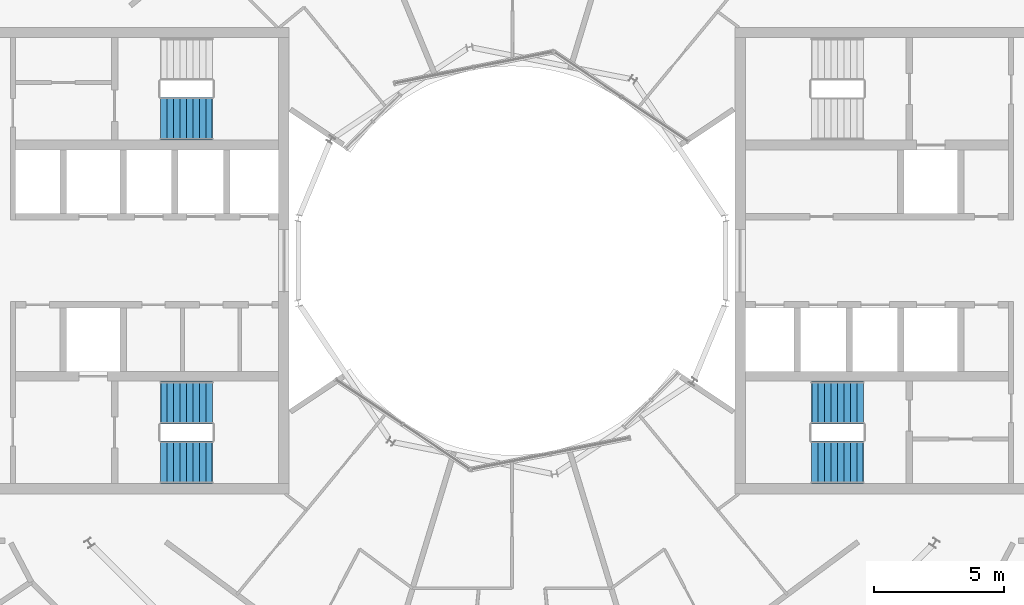
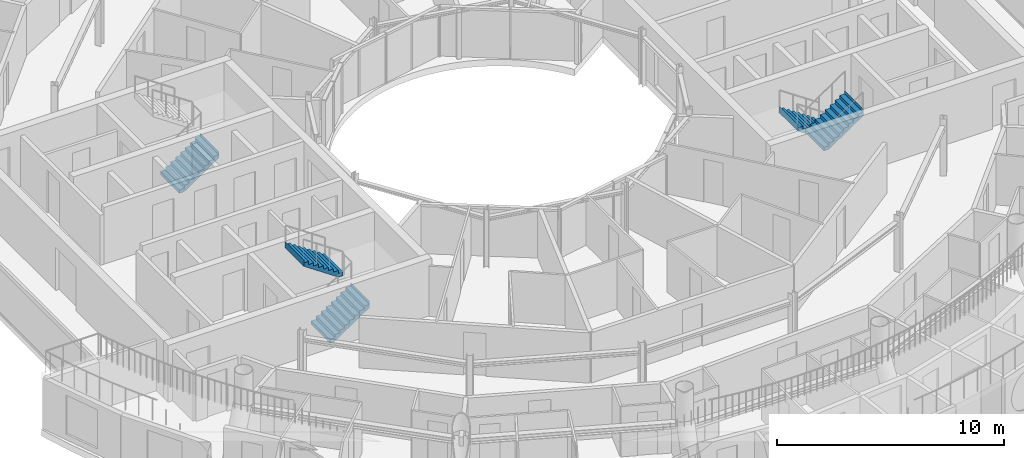
# One storey, part 25 of 29: 5 stair flights, 3 elements without a shape of their own.
"""IFC4 building model written with IfcOpenShell, lengths in metres."""

from ifc_helpers import new_model, si_unit, direction, frame, origin, place, context, subcontext, project, spatial, triangles, material, type_object, element, aggregate, save


model = new_model("IFC4")

# Units and contexts
model_context = context("Model", 3, precision=1e-05, world=origin(), true_north=direction((0.0, 1.0)))
body_context = subcontext(model_context, "Body", "Model", "MODEL_VIEW")
ifc_project = project(units=[si_unit("LENGTHUNIT", "METRE"), si_unit("AREAUNIT", "SQUARE_METRE"), si_unit("VOLUMEUNIT", "CUBIC_METRE"), si_unit("PLANEANGLEUNIT", "RADIAN"), si_unit("MASSUNIT", "GRAM", prefix="KILO")], contexts=[model_context])

# Site, building, storey
site_placement = place(None, origin())
site = spatial("IfcSite", under=ifc_project, at=site_placement, CompositionType="ELEMENT")
building_placement = place(site_placement, origin())
building = spatial("IfcBuilding", under=site, at=building_placement, Name="Maasbend Ring Residences", CompositionType="ELEMENT")
storey_placement = place(building_placement, frame((0.0, 0.0, 234.050048828125)))
storey = spatial("IfcBuildingStorey", under=building, at=storey_placement, Name="L67", CompositionType="ELEMENT", Elevation=234.050048828125)

# Stair, stair flights
ifc_material_1 = material(Name="Concrete C40/50", Category="concrete")
stair_type = type_object("IfcStairType", Name="CORE STAIR 18 RISERS", PredefinedType="HALF_TURN_STAIR", material=ifc_material_1)
stair_1_placement = place(storey_placement, origin())
stair_1 = element("IfcStair", 1, at=stair_1_placement, inside=storey, type_object=stair_type, Name="L67 Exit stair ST-E2", PredefinedType="HALF_TURN_STAIR")
ifc_material_2 = material(Name="Concrete C40/50", Category="concrete")
stair_flight_type = type_object("IfcStairFlightType", Name="CORE STAIR FLIGHT 1650", PredefinedType="STRAIGHT", material=ifc_material_2)
stair_flight_1_placement = place(storey_placement, frame((13.550048828125, -5.47509765625, 0.0), z_axis=(0.0, 0.0, 1.0), x_axis=(-1.0, 0.0, 0.0)))
stair_flight_1 = element("IfcStairFlight", 2, at=stair_flight_1_placement, type_object=stair_flight_type, Name="ST-E2 flight 1", NumberOfRisers=9, NumberOfTreads=8, PredefinedType="STRAIGHT", RiserHeight=0.169444444, TreadLength=0.25, context=body_context, shape_type="Tessellation", body=[
    triangles([(0.24072265625, 0.824951171875, -0.02001953125), (2.0029296875, 0.824951171875, 1.174560546875), (2.0029296875, 0.824951171875, 1.52490234375), (1.989990234375, 0.824951171875, 1.35546875), (1.75, 0.824951171875, 1.35546875), (1.75, 0.824951171875, 1.18603515625), (1.5, 0.824951171875, 1.18603515625), (1.5, 0.824951171875, 1.0166015625), (1.25, 0.824951171875, 1.0166015625), (1.25, 0.824951171875, 0.84716796875), (1.0, 0.824951171875, 0.84716796875), (1.0, 0.824951171875, 0.677734375), (0.75, 0.824951171875, 0.677734375), (0.75, 0.824951171875, 0.50830078125), (0.5, 0.824951171875, 0.50830078125), (0.5, 0.824951171875, 0.3388671875), (0.25, 0.824951171875, 0.3388671875), (0.25, 0.824951171875, 0.16943359375), (0.0, 0.824951171875, 0.16943359375), (0.0, 0.824951171875, 0.0), (-0.0029296875, 0.824951171875, 0.0), (-0.0029296875, 0.824951171875, -0.02001953125), (0.24072265625, 0.27490234375, -0.02001953125), (2.0029296875, 0.27490234375, 1.174560546875), (2.0029296875, 0.27490234375, 1.52490234375), (1.989990234375, 0.27490234375, 1.35546875), (1.75, 0.27490234375, 1.35546875), (1.75, 0.27490234375, 1.18603515625), (1.5, 0.27490234375, 1.18603515625), (1.5, 0.27490234375, 1.0166015625), (1.25, 0.27490234375, 1.0166015625), (1.25, 0.27490234375, 0.84716796875), (1.0, 0.27490234375, 0.84716796875), (1.0, 0.27490234375, 0.677734375), (0.75, 0.27490234375, 0.677734375), (0.75, 0.27490234375, 0.50830078125), (0.5, 0.27490234375, 0.50830078125), (0.5, 0.27490234375, 0.3388671875), (0.25, 0.27490234375, 0.3388671875), (0.25, 0.27490234375, 0.16943359375), (0.0, 0.27490234375, 0.16943359375), (0.0, 0.27490234375, 0.0), (-0.0029296875, 0.27490234375, 0.0), (-0.0029296875, 0.27490234375, -0.02001953125), (0.24072265625, -0.27490234375, -0.02001953125), (2.0029296875, -0.27490234375, 1.174560546875), (2.0029296875, -0.27490234375, 1.52490234375), (1.989990234375, -0.27490234375, 1.35546875), (1.75, -0.27490234375, 1.35546875), (1.75, -0.27490234375, 1.18603515625), (1.5, -0.27490234375, 1.18603515625), (1.5, -0.27490234375, 1.0166015625), (1.25, -0.27490234375, 1.0166015625), (1.25, -0.27490234375, 0.84716796875), (1.0, -0.27490234375, 0.84716796875), (1.0, -0.27490234375, 0.677734375), (0.75, -0.27490234375, 0.677734375), (0.75, -0.27490234375, 0.50830078125), (0.5, -0.27490234375, 0.50830078125), (0.5, -0.27490234375, 0.3388671875), (0.25, -0.27490234375, 0.3388671875), (0.25, -0.27490234375, 0.16943359375), (0.0, -0.27490234375, 0.16943359375), (0.0, -0.27490234375, 0.0), (-0.0029296875, -0.27490234375, 0.0), (-0.0029296875, -0.27490234375, -0.02001953125), (0.24072265625, -0.824951171875, -0.02001953125), (2.0029296875, -0.824951171875, 1.174560546875), (2.0029296875, -0.824951171875, 1.52490234375), (1.989990234375, -0.824951171875, 1.35546875), (1.75, -0.824951171875, 1.35546875), (1.75, -0.824951171875, 1.18603515625), (1.5, -0.824951171875, 1.18603515625), (1.5, -0.824951171875, 1.0166015625), (1.25, -0.824951171875, 1.0166015625), (1.25, -0.824951171875, 0.84716796875), (1.0, -0.824951171875, 0.84716796875), (1.0, -0.824951171875, 0.677734375), (0.75, -0.824951171875, 0.677734375), (0.75, -0.824951171875, 0.50830078125), (0.5, -0.824951171875, 0.50830078125), (0.5, -0.824951171875, 0.3388671875), (0.25, -0.824951171875, 0.3388671875), (0.25, -0.824951171875, 0.16943359375), (0.0, -0.824951171875, 0.16943359375), (0.0, -0.824951171875, 0.0), (-0.0029296875, -0.824951171875, 0.0), (-0.0029296875, -0.824951171875, -0.02001953125)], [[1, 2, 24], [1, 24, 23], [23, 24, 46], [23, 46, 45], [45, 46, 68], [45, 68, 67], [2, 3, 25], [2, 25, 24], [24, 25, 47], [24, 47, 46], [46, 47, 69], [46, 69, 68], [3, 4, 26], [3, 26, 25], [25, 26, 48], [25, 48, 47], [47, 48, 70], [47, 70, 69], [4, 5, 27], [4, 27, 26], [26, 27, 49], [26, 49, 48], [48, 49, 71], [48, 71, 70], [5, 6, 28], [5, 28, 27], [27, 28, 50], [27, 50, 49], [49, 50, 72], [49, 72, 71], [6, 7, 29], [6, 29, 28], [28, 29, 51], [28, 51, 50], [50, 51, 73], [50, 73, 72], [7, 8, 30], [7, 30, 29], [29, 30, 52], [29, 52, 51], [51, 52, 74], [51, 74, 73], [8, 9, 31], [8, 31, 30], [30, 31, 53], [30, 53, 52], [52, 53, 75], [52, 75, 74], [9, 10, 32], [9, 32, 31], [31, 32, 54], [31, 54, 53], [53, 54, 76], [53, 76, 75], [10, 11, 33], [10, 33, 32], [32, 33, 55], [32, 55, 54], [54, 55, 77], [54, 77, 76], [11, 12, 34], [11, 34, 33], [33, 34, 56], [33, 56, 55], [55, 56, 78], [55, 78, 77], [12, 13, 35], [12, 35, 34], [34, 35, 57], [34, 57, 56], [56, 57, 79], [56, 79, 78], [13, 14, 36], [13, 36, 35], [35, 36, 58], [35, 58, 57], [57, 58, 80], [57, 80, 79], [14, 15, 37], [14, 37, 36], [36, 37, 59], [36, 59, 58], [58, 59, 81], [58, 81, 80], [15, 16, 38], [15, 38, 37], [37, 38, 60], [37, 60, 59], [59, 60, 82], [59, 82, 81], [16, 17, 39], [16, 39, 38], [38, 39, 61], [38, 61, 60], [60, 61, 83], [60, 83, 82], [17, 18, 40], [17, 40, 39], [39, 40, 62], [39, 62, 61], [61, 62, 84], [61, 84, 83], [18, 19, 41], [18, 41, 40], [40, 41, 63], [40, 63, 62], [62, 63, 85], [62, 85, 84], [19, 20, 42], [19, 42, 41], [41, 42, 64], [41, 64, 63], [63, 64, 86], [63, 86, 85], [20, 21, 43], [20, 43, 42], [42, 43, 65], [42, 65, 64], [64, 65, 87], [64, 87, 86], [21, 22, 44], [21, 44, 43], [43, 44, 66], [43, 66, 65], [65, 66, 88], [65, 88, 87], [22, 1, 23], [22, 23, 44], [44, 23, 45], [44, 45, 66], [66, 45, 67], [66, 67, 88], [22, 2, 1], [2, 4, 3], [2, 5, 4], [2, 6, 5], [22, 6, 2], [6, 8, 7], [22, 8, 6], [8, 10, 9], [22, 10, 8], [10, 12, 11], [22, 12, 10], [12, 14, 13], [22, 14, 12], [14, 16, 15], [22, 16, 14], [16, 18, 17], [22, 18, 16], [18, 20, 19], [22, 20, 18], [20, 22, 21], [88, 67, 68], [68, 69, 70], [68, 70, 71], [68, 71, 72], [88, 68, 72], [72, 73, 74], [88, 72, 74], [74, 75, 76], [88, 74, 76], [76, 77, 78], [88, 76, 78], [78, 79, 80], [88, 78, 80], [80, 81, 82], [88, 80, 82], [82, 83, 84], [88, 82, 84], [84, 85, 86], [88, 84, 86], [86, 87, 88]], closed=True),
])
stair_flight_2_placement = place(storey_placement, frame((11.550048828125, -7.77490234375, 1.52490234375), z_axis=(0.0, 0.0, 1.0), x_axis=(1.0, 0.0, 0.0)))
stair_flight_2 = element("IfcStairFlight", 3, at=stair_flight_2_placement, type_object=stair_flight_type, Name="ST-E2 flight 2", NumberOfRisers=9, NumberOfTreads=8, PredefinedType="STRAIGHT", RiserHeight=0.169444444, TreadLength=0.25, context=body_context, shape_type="Tessellation", body=[
    triangles([(0.24072265625, 0.824951171875, -0.02001953125), (2.0029296875, 0.824951171875, 1.174560546875), (2.0029296875, 0.824951171875, 1.52490234375), (1.989990234375, 0.824951171875, 1.35546875), (1.75, 0.824951171875, 1.35546875), (1.75, 0.824951171875, 1.18603515625), (1.5, 0.824951171875, 1.18603515625), (1.5, 0.824951171875, 1.0166015625), (1.25, 0.824951171875, 1.0166015625), (1.25, 0.824951171875, 0.84716796875), (1.0, 0.824951171875, 0.84716796875), (1.0, 0.824951171875, 0.677734375), (0.75, 0.824951171875, 0.677734375), (0.75, 0.824951171875, 0.50830078125), (0.5, 0.824951171875, 0.50830078125), (0.5, 0.824951171875, 0.3388671875), (0.25, 0.824951171875, 0.3388671875), (0.25, 0.824951171875, 0.16943359375), (0.0, 0.824951171875, 0.16943359375), (0.0, 0.824951171875, 0.0), (-0.0029296875, 0.824951171875, 0.0), (-0.0029296875, 0.824951171875, -0.02001953125), (0.24072265625, 0.27490234375, -0.02001953125), (2.0029296875, 0.27490234375, 1.174560546875), (2.0029296875, 0.27490234375, 1.52490234375), (1.989990234375, 0.27490234375, 1.35546875), (1.75, 0.27490234375, 1.35546875), (1.75, 0.27490234375, 1.18603515625), (1.5, 0.27490234375, 1.18603515625), (1.5, 0.27490234375, 1.0166015625), (1.25, 0.27490234375, 1.0166015625), (1.25, 0.27490234375, 0.84716796875), (1.0, 0.27490234375, 0.84716796875), (1.0, 0.27490234375, 0.677734375), (0.75, 0.27490234375, 0.677734375), (0.75, 0.27490234375, 0.50830078125), (0.5, 0.27490234375, 0.50830078125), (0.5, 0.27490234375, 0.3388671875), (0.25, 0.27490234375, 0.3388671875), (0.25, 0.27490234375, 0.16943359375), (0.0, 0.27490234375, 0.16943359375), (0.0, 0.27490234375, 0.0), (-0.0029296875, 0.27490234375, 0.0), (-0.0029296875, 0.27490234375, -0.02001953125), (0.24072265625, -0.27490234375, -0.02001953125), (2.0029296875, -0.27490234375, 1.174560546875), (2.0029296875, -0.27490234375, 1.52490234375), (1.989990234375, -0.27490234375, 1.35546875), (1.75, -0.27490234375, 1.35546875), (1.75, -0.27490234375, 1.18603515625), (1.5, -0.27490234375, 1.18603515625), (1.5, -0.27490234375, 1.0166015625), (1.25, -0.27490234375, 1.0166015625), (1.25, -0.27490234375, 0.84716796875), (1.0, -0.27490234375, 0.84716796875), (1.0, -0.27490234375, 0.677734375), (0.75, -0.27490234375, 0.677734375), (0.75, -0.27490234375, 0.50830078125), (0.5, -0.27490234375, 0.50830078125), (0.5, -0.27490234375, 0.3388671875), (0.25, -0.27490234375, 0.3388671875), (0.25, -0.27490234375, 0.16943359375), (0.0, -0.27490234375, 0.16943359375), (0.0, -0.27490234375, 0.0), (-0.0029296875, -0.27490234375, 0.0), (-0.0029296875, -0.27490234375, -0.02001953125), (0.24072265625, -0.824951171875, -0.02001953125), (2.0029296875, -0.824951171875, 1.174560546875), (2.0029296875, -0.824951171875, 1.52490234375), (1.989990234375, -0.824951171875, 1.35546875), (1.75, -0.824951171875, 1.35546875), (1.75, -0.824951171875, 1.18603515625), (1.5, -0.824951171875, 1.18603515625), (1.5, -0.824951171875, 1.0166015625), (1.25, -0.824951171875, 1.0166015625), (1.25, -0.824951171875, 0.84716796875), (1.0, -0.824951171875, 0.84716796875), (1.0, -0.824951171875, 0.677734375), (0.75, -0.824951171875, 0.677734375), (0.75, -0.824951171875, 0.50830078125), (0.5, -0.824951171875, 0.50830078125), (0.5, -0.824951171875, 0.3388671875), (0.25, -0.824951171875, 0.3388671875), (0.25, -0.824951171875, 0.16943359375), (0.0, -0.824951171875, 0.16943359375), (0.0, -0.824951171875, 0.0), (-0.0029296875, -0.824951171875, 0.0), (-0.0029296875, -0.824951171875, -0.02001953125)], [[1, 2, 24], [1, 24, 23], [23, 24, 46], [23, 46, 45], [45, 46, 68], [45, 68, 67], [2, 3, 25], [2, 25, 24], [24, 25, 47], [24, 47, 46], [46, 47, 69], [46, 69, 68], [3, 4, 26], [3, 26, 25], [25, 26, 48], [25, 48, 47], [47, 48, 70], [47, 70, 69], [4, 5, 27], [4, 27, 26], [26, 27, 49], [26, 49, 48], [48, 49, 71], [48, 71, 70], [5, 6, 28], [5, 28, 27], [27, 28, 50], [27, 50, 49], [49, 50, 72], [49, 72, 71], [6, 7, 29], [6, 29, 28], [28, 29, 51], [28, 51, 50], [50, 51, 73], [50, 73, 72], [7, 8, 30], [7, 30, 29], [29, 30, 52], [29, 52, 51], [51, 52, 74], [51, 74, 73], [8, 9, 31], [8, 31, 30], [30, 31, 53], [30, 53, 52], [52, 53, 75], [52, 75, 74], [9, 10, 32], [9, 32, 31], [31, 32, 54], [31, 54, 53], [53, 54, 76], [53, 76, 75], [10, 11, 33], [10, 33, 32], [32, 33, 55], [32, 55, 54], [54, 55, 77], [54, 77, 76], [11, 12, 34], [11, 34, 33], [33, 34, 56], [33, 56, 55], [55, 56, 78], [55, 78, 77], [12, 13, 35], [12, 35, 34], [34, 35, 57], [34, 57, 56], [56, 57, 79], [56, 79, 78], [13, 14, 36], [13, 36, 35], [35, 36, 58], [35, 58, 57], [57, 58, 80], [57, 80, 79], [14, 15, 37], [14, 37, 36], [36, 37, 59], [36, 59, 58], [58, 59, 81], [58, 81, 80], [15, 16, 38], [15, 38, 37], [37, 38, 60], [37, 60, 59], [59, 60, 82], [59, 82, 81], [16, 17, 39], [16, 39, 38], [38, 39, 61], [38, 61, 60], [60, 61, 83], [60, 83, 82], [17, 18, 40], [17, 40, 39], [39, 40, 62], [39, 62, 61], [61, 62, 84], [61, 84, 83], [18, 19, 41], [18, 41, 40], [40, 41, 63], [40, 63, 62], [62, 63, 85], [62, 85, 84], [19, 20, 42], [19, 42, 41], [41, 42, 64], [41, 64, 63], [63, 64, 86], [63, 86, 85], [20, 21, 43], [20, 43, 42], [42, 43, 65], [42, 65, 64], [64, 65, 87], [64, 87, 86], [21, 22, 44], [21, 44, 43], [43, 44, 66], [43, 66, 65], [65, 66, 88], [65, 88, 87], [22, 1, 23], [22, 23, 44], [44, 23, 45], [44, 45, 66], [66, 45, 67], [66, 67, 88], [22, 2, 1], [2, 4, 3], [2, 5, 4], [2, 6, 5], [22, 6, 2], [6, 8, 7], [22, 8, 6], [8, 10, 9], [22, 10, 8], [10, 12, 11], [22, 12, 10], [12, 14, 13], [22, 14, 12], [14, 16, 15], [22, 16, 14], [16, 18, 17], [22, 18, 16], [18, 20, 19], [22, 20, 18], [20, 22, 21], [88, 67, 68], [68, 69, 70], [68, 70, 71], [68, 71, 72], [88, 68, 72], [72, 73, 74], [88, 72, 74], [74, 75, 76], [88, 74, 76], [76, 77, 78], [88, 76, 78], [78, 79, 80], [88, 78, 80], [80, 81, 82], [88, 80, 82], [82, 83, 84], [88, 82, 84], [84, 85, 86], [88, 84, 86], [86, 87, 88]], closed=True),
])
aggregate(stair_1, [stair_flight_1, stair_flight_2])

stair_2_placement = place(storey_placement, origin())
stair_2 = element("IfcStair", 4, at=stair_2_placement, inside=storey, type_object=stair_type, Name="L67 Exit stair ST-W1", PredefinedType="HALF_TURN_STAIR")
stair_flight_3_placement = place(storey_placement, frame((-13.550048828125, -7.77490234375, 0.0), z_axis=(0.0, 0.0, 1.0), x_axis=(1.0, 0.0, 0.0)))
stair_flight_3 = element("IfcStairFlight", 5, at=stair_flight_3_placement, type_object=stair_flight_type, Name="ST-W1 flight 1", NumberOfRisers=9, NumberOfTreads=8, PredefinedType="STRAIGHT", RiserHeight=0.169444444, TreadLength=0.25, context=body_context, shape_type="Tessellation", body=[
    triangles([(0.24072265625, 0.824951171875, -0.02001953125), (2.0029296875, 0.824951171875, 1.174560546875), (2.0029296875, 0.824951171875, 1.52490234375), (1.989990234375, 0.824951171875, 1.35546875), (1.75, 0.824951171875, 1.35546875), (1.75, 0.824951171875, 1.18603515625), (1.5, 0.824951171875, 1.18603515625), (1.5, 0.824951171875, 1.0166015625), (1.25, 0.824951171875, 1.0166015625), (1.25, 0.824951171875, 0.84716796875), (1.0, 0.824951171875, 0.84716796875), (1.0, 0.824951171875, 0.677734375), (0.75, 0.824951171875, 0.677734375), (0.75, 0.824951171875, 0.50830078125), (0.5, 0.824951171875, 0.50830078125), (0.5, 0.824951171875, 0.3388671875), (0.25, 0.824951171875, 0.3388671875), (0.25, 0.824951171875, 0.16943359375), (0.0, 0.824951171875, 0.16943359375), (0.0, 0.824951171875, 0.0), (-0.0029296875, 0.824951171875, 0.0), (-0.0029296875, 0.824951171875, -0.02001953125), (0.24072265625, 0.27490234375, -0.02001953125), (2.0029296875, 0.27490234375, 1.174560546875), (2.0029296875, 0.27490234375, 1.52490234375), (1.989990234375, 0.27490234375, 1.35546875), (1.75, 0.27490234375, 1.35546875), (1.75, 0.27490234375, 1.18603515625), (1.5, 0.27490234375, 1.18603515625), (1.5, 0.27490234375, 1.0166015625), (1.25, 0.27490234375, 1.0166015625), (1.25, 0.27490234375, 0.84716796875), (1.0, 0.27490234375, 0.84716796875), (1.0, 0.27490234375, 0.677734375), (0.75, 0.27490234375, 0.677734375), (0.75, 0.27490234375, 0.50830078125), (0.5, 0.27490234375, 0.50830078125), (0.5, 0.27490234375, 0.3388671875), (0.25, 0.27490234375, 0.3388671875), (0.25, 0.27490234375, 0.16943359375), (0.0, 0.27490234375, 0.16943359375), (0.0, 0.27490234375, 0.0), (-0.0029296875, 0.27490234375, 0.0), (-0.0029296875, 0.27490234375, -0.02001953125), (0.24072265625, -0.27490234375, -0.02001953125), (2.0029296875, -0.27490234375, 1.174560546875), (2.0029296875, -0.27490234375, 1.52490234375), (1.989990234375, -0.27490234375, 1.35546875), (1.75, -0.27490234375, 1.35546875), (1.75, -0.27490234375, 1.18603515625), (1.5, -0.27490234375, 1.18603515625), (1.5, -0.27490234375, 1.0166015625), (1.25, -0.27490234375, 1.0166015625), (1.25, -0.27490234375, 0.84716796875), (1.0, -0.27490234375, 0.84716796875), (1.0, -0.27490234375, 0.677734375), (0.75, -0.27490234375, 0.677734375), (0.75, -0.27490234375, 0.50830078125), (0.5, -0.27490234375, 0.50830078125), (0.5, -0.27490234375, 0.3388671875), (0.25, -0.27490234375, 0.3388671875), (0.25, -0.27490234375, 0.16943359375), (0.0, -0.27490234375, 0.16943359375), (0.0, -0.27490234375, 0.0), (-0.0029296875, -0.27490234375, 0.0), (-0.0029296875, -0.27490234375, -0.02001953125), (0.24072265625, -0.824951171875, -0.02001953125), (2.0029296875, -0.824951171875, 1.174560546875), (2.0029296875, -0.824951171875, 1.52490234375), (1.989990234375, -0.824951171875, 1.35546875), (1.75, -0.824951171875, 1.35546875), (1.75, -0.824951171875, 1.18603515625), (1.5, -0.824951171875, 1.18603515625), (1.5, -0.824951171875, 1.0166015625), (1.25, -0.824951171875, 1.0166015625), (1.25, -0.824951171875, 0.84716796875), (1.0, -0.824951171875, 0.84716796875), (1.0, -0.824951171875, 0.677734375), (0.75, -0.824951171875, 0.677734375), (0.75, -0.824951171875, 0.50830078125), (0.5, -0.824951171875, 0.50830078125), (0.5, -0.824951171875, 0.3388671875), (0.25, -0.824951171875, 0.3388671875), (0.25, -0.824951171875, 0.16943359375), (0.0, -0.824951171875, 0.16943359375), (0.0, -0.824951171875, 0.0), (-0.0029296875, -0.824951171875, 0.0), (-0.0029296875, -0.824951171875, -0.02001953125)], [[1, 2, 24], [1, 24, 23], [23, 24, 46], [23, 46, 45], [45, 46, 68], [45, 68, 67], [2, 3, 25], [2, 25, 24], [24, 25, 47], [24, 47, 46], [46, 47, 69], [46, 69, 68], [3, 4, 26], [3, 26, 25], [25, 26, 48], [25, 48, 47], [47, 48, 70], [47, 70, 69], [4, 5, 27], [4, 27, 26], [26, 27, 49], [26, 49, 48], [48, 49, 71], [48, 71, 70], [5, 6, 28], [5, 28, 27], [27, 28, 50], [27, 50, 49], [49, 50, 72], [49, 72, 71], [6, 7, 29], [6, 29, 28], [28, 29, 51], [28, 51, 50], [50, 51, 73], [50, 73, 72], [7, 8, 30], [7, 30, 29], [29, 30, 52], [29, 52, 51], [51, 52, 74], [51, 74, 73], [8, 9, 31], [8, 31, 30], [30, 31, 53], [30, 53, 52], [52, 53, 75], [52, 75, 74], [9, 10, 32], [9, 32, 31], [31, 32, 54], [31, 54, 53], [53, 54, 76], [53, 76, 75], [10, 11, 33], [10, 33, 32], [32, 33, 55], [32, 55, 54], [54, 55, 77], [54, 77, 76], [11, 12, 34], [11, 34, 33], [33, 34, 56], [33, 56, 55], [55, 56, 78], [55, 78, 77], [12, 13, 35], [12, 35, 34], [34, 35, 57], [34, 57, 56], [56, 57, 79], [56, 79, 78], [13, 14, 36], [13, 36, 35], [35, 36, 58], [35, 58, 57], [57, 58, 80], [57, 80, 79], [14, 15, 37], [14, 37, 36], [36, 37, 59], [36, 59, 58], [58, 59, 81], [58, 81, 80], [15, 16, 38], [15, 38, 37], [37, 38, 60], [37, 60, 59], [59, 60, 82], [59, 82, 81], [16, 17, 39], [16, 39, 38], [38, 39, 61], [38, 61, 60], [60, 61, 83], [60, 83, 82], [17, 18, 40], [17, 40, 39], [39, 40, 62], [39, 62, 61], [61, 62, 84], [61, 84, 83], [18, 19, 41], [18, 41, 40], [40, 41, 63], [40, 63, 62], [62, 63, 85], [62, 85, 84], [19, 20, 42], [19, 42, 41], [41, 42, 64], [41, 64, 63], [63, 64, 86], [63, 86, 85], [20, 21, 43], [20, 43, 42], [42, 43, 65], [42, 65, 64], [64, 65, 87], [64, 87, 86], [21, 22, 44], [21, 44, 43], [43, 44, 66], [43, 66, 65], [65, 66, 88], [65, 88, 87], [22, 1, 23], [22, 23, 44], [44, 23, 45], [44, 45, 66], [66, 45, 67], [66, 67, 88], [22, 2, 1], [2, 4, 3], [2, 5, 4], [2, 6, 5], [22, 6, 2], [6, 8, 7], [22, 8, 6], [8, 10, 9], [22, 10, 8], [10, 12, 11], [22, 12, 10], [12, 14, 13], [22, 14, 12], [14, 16, 15], [22, 16, 14], [16, 18, 17], [22, 18, 16], [18, 20, 19], [22, 20, 18], [20, 22, 21], [88, 67, 68], [68, 69, 70], [68, 70, 71], [68, 71, 72], [88, 68, 72], [72, 73, 74], [88, 72, 74], [74, 75, 76], [88, 74, 76], [76, 77, 78], [88, 76, 78], [78, 79, 80], [88, 78, 80], [80, 81, 82], [88, 80, 82], [82, 83, 84], [88, 82, 84], [84, 85, 86], [88, 84, 86], [86, 87, 88]], closed=True),
])
stair_flight_4_placement = place(storey_placement, frame((-11.550048828125, -5.47509765625, 1.52490234375), z_axis=(0.0, 0.0, 1.0), x_axis=(-1.0, 0.0, 0.0)))
stair_flight_4 = element("IfcStairFlight", 6, at=stair_flight_4_placement, type_object=stair_flight_type, Name="ST-W1 flight 2", NumberOfRisers=9, NumberOfTreads=8, PredefinedType="STRAIGHT", RiserHeight=0.169444444, TreadLength=0.25, context=body_context, shape_type="Tessellation", body=[
    triangles([(0.24072265625, 0.824951171875, -0.02001953125), (2.0029296875, 0.824951171875, 1.174560546875), (2.0029296875, 0.824951171875, 1.52490234375), (1.989990234375, 0.824951171875, 1.35546875), (1.75, 0.824951171875, 1.35546875), (1.75, 0.824951171875, 1.18603515625), (1.5, 0.824951171875, 1.18603515625), (1.5, 0.824951171875, 1.0166015625), (1.25, 0.824951171875, 1.0166015625), (1.25, 0.824951171875, 0.84716796875), (1.0, 0.824951171875, 0.84716796875), (1.0, 0.824951171875, 0.677734375), (0.75, 0.824951171875, 0.677734375), (0.75, 0.824951171875, 0.50830078125), (0.5, 0.824951171875, 0.50830078125), (0.5, 0.824951171875, 0.3388671875), (0.25, 0.824951171875, 0.3388671875), (0.25, 0.824951171875, 0.16943359375), (0.0, 0.824951171875, 0.16943359375), (0.0, 0.824951171875, 0.0), (-0.0029296875, 0.824951171875, 0.0), (-0.0029296875, 0.824951171875, -0.02001953125), (0.24072265625, 0.27490234375, -0.02001953125), (2.0029296875, 0.27490234375, 1.174560546875), (2.0029296875, 0.27490234375, 1.52490234375), (1.989990234375, 0.27490234375, 1.35546875), (1.75, 0.27490234375, 1.35546875), (1.75, 0.27490234375, 1.18603515625), (1.5, 0.27490234375, 1.18603515625), (1.5, 0.27490234375, 1.0166015625), (1.25, 0.27490234375, 1.0166015625), (1.25, 0.27490234375, 0.84716796875), (1.0, 0.27490234375, 0.84716796875), (1.0, 0.27490234375, 0.677734375), (0.75, 0.27490234375, 0.677734375), (0.75, 0.27490234375, 0.50830078125), (0.5, 0.27490234375, 0.50830078125), (0.5, 0.27490234375, 0.3388671875), (0.25, 0.27490234375, 0.3388671875), (0.25, 0.27490234375, 0.16943359375), (0.0, 0.27490234375, 0.16943359375), (0.0, 0.27490234375, 0.0), (-0.0029296875, 0.27490234375, 0.0), (-0.0029296875, 0.27490234375, -0.02001953125), (0.24072265625, -0.27490234375, -0.02001953125), (2.0029296875, -0.27490234375, 1.174560546875), (2.0029296875, -0.27490234375, 1.52490234375), (1.989990234375, -0.27490234375, 1.35546875), (1.75, -0.27490234375, 1.35546875), (1.75, -0.27490234375, 1.18603515625), (1.5, -0.27490234375, 1.18603515625), (1.5, -0.27490234375, 1.0166015625), (1.25, -0.27490234375, 1.0166015625), (1.25, -0.27490234375, 0.84716796875), (1.0, -0.27490234375, 0.84716796875), (1.0, -0.27490234375, 0.677734375), (0.75, -0.27490234375, 0.677734375), (0.75, -0.27490234375, 0.50830078125), (0.5, -0.27490234375, 0.50830078125), (0.5, -0.27490234375, 0.3388671875), (0.25, -0.27490234375, 0.3388671875), (0.25, -0.27490234375, 0.16943359375), (0.0, -0.27490234375, 0.16943359375), (0.0, -0.27490234375, 0.0), (-0.0029296875, -0.27490234375, 0.0), (-0.0029296875, -0.27490234375, -0.02001953125), (0.24072265625, -0.824951171875, -0.02001953125), (2.0029296875, -0.824951171875, 1.174560546875), (2.0029296875, -0.824951171875, 1.52490234375), (1.989990234375, -0.824951171875, 1.35546875), (1.75, -0.824951171875, 1.35546875), (1.75, -0.824951171875, 1.18603515625), (1.5, -0.824951171875, 1.18603515625), (1.5, -0.824951171875, 1.0166015625), (1.25, -0.824951171875, 1.0166015625), (1.25, -0.824951171875, 0.84716796875), (1.0, -0.824951171875, 0.84716796875), (1.0, -0.824951171875, 0.677734375), (0.75, -0.824951171875, 0.677734375), (0.75, -0.824951171875, 0.50830078125), (0.5, -0.824951171875, 0.50830078125), (0.5, -0.824951171875, 0.3388671875), (0.25, -0.824951171875, 0.3388671875), (0.25, -0.824951171875, 0.16943359375), (0.0, -0.824951171875, 0.16943359375), (0.0, -0.824951171875, 0.0), (-0.0029296875, -0.824951171875, 0.0), (-0.0029296875, -0.824951171875, -0.02001953125)], [[1, 2, 24], [1, 24, 23], [23, 24, 46], [23, 46, 45], [45, 46, 68], [45, 68, 67], [2, 3, 25], [2, 25, 24], [24, 25, 47], [24, 47, 46], [46, 47, 69], [46, 69, 68], [3, 4, 26], [3, 26, 25], [25, 26, 48], [25, 48, 47], [47, 48, 70], [47, 70, 69], [4, 5, 27], [4, 27, 26], [26, 27, 49], [26, 49, 48], [48, 49, 71], [48, 71, 70], [5, 6, 28], [5, 28, 27], [27, 28, 50], [27, 50, 49], [49, 50, 72], [49, 72, 71], [6, 7, 29], [6, 29, 28], [28, 29, 51], [28, 51, 50], [50, 51, 73], [50, 73, 72], [7, 8, 30], [7, 30, 29], [29, 30, 52], [29, 52, 51], [51, 52, 74], [51, 74, 73], [8, 9, 31], [8, 31, 30], [30, 31, 53], [30, 53, 52], [52, 53, 75], [52, 75, 74], [9, 10, 32], [9, 32, 31], [31, 32, 54], [31, 54, 53], [53, 54, 76], [53, 76, 75], [10, 11, 33], [10, 33, 32], [32, 33, 55], [32, 55, 54], [54, 55, 77], [54, 77, 76], [11, 12, 34], [11, 34, 33], [33, 34, 56], [33, 56, 55], [55, 56, 78], [55, 78, 77], [12, 13, 35], [12, 35, 34], [34, 35, 57], [34, 57, 56], [56, 57, 79], [56, 79, 78], [13, 14, 36], [13, 36, 35], [35, 36, 58], [35, 58, 57], [57, 58, 80], [57, 80, 79], [14, 15, 37], [14, 37, 36], [36, 37, 59], [36, 59, 58], [58, 59, 81], [58, 81, 80], [15, 16, 38], [15, 38, 37], [37, 38, 60], [37, 60, 59], [59, 60, 82], [59, 82, 81], [16, 17, 39], [16, 39, 38], [38, 39, 61], [38, 61, 60], [60, 61, 83], [60, 83, 82], [17, 18, 40], [17, 40, 39], [39, 40, 62], [39, 62, 61], [61, 62, 84], [61, 84, 83], [18, 19, 41], [18, 41, 40], [40, 41, 63], [40, 63, 62], [62, 63, 85], [62, 85, 84], [19, 20, 42], [19, 42, 41], [41, 42, 64], [41, 64, 63], [63, 64, 86], [63, 86, 85], [20, 21, 43], [20, 43, 42], [42, 43, 65], [42, 65, 64], [64, 65, 87], [64, 87, 86], [21, 22, 44], [21, 44, 43], [43, 44, 66], [43, 66, 65], [65, 66, 88], [65, 88, 87], [22, 1, 23], [22, 23, 44], [44, 23, 45], [44, 45, 66], [66, 45, 67], [66, 67, 88], [22, 2, 1], [2, 4, 3], [2, 5, 4], [2, 6, 5], [22, 6, 2], [6, 8, 7], [22, 8, 6], [8, 10, 9], [22, 10, 8], [10, 12, 11], [22, 12, 10], [12, 14, 13], [22, 14, 12], [14, 16, 15], [22, 16, 14], [16, 18, 17], [22, 18, 16], [18, 20, 19], [22, 20, 18], [20, 22, 21], [88, 67, 68], [68, 69, 70], [68, 70, 71], [68, 71, 72], [88, 68, 72], [72, 73, 74], [88, 72, 74], [74, 75, 76], [88, 74, 76], [76, 77, 78], [88, 76, 78], [78, 79, 80], [88, 78, 80], [80, 81, 82], [88, 80, 82], [82, 83, 84], [88, 82, 84], [84, 85, 86], [88, 84, 86], [86, 87, 88]], closed=True),
])
aggregate(stair_2, [stair_flight_3, stair_flight_4])

# Stair, stair flight
stair_3_placement = place(storey_placement, origin())
stair_3 = element("IfcStair", 7, at=stair_3_placement, inside=storey, type_object=stair_type, Name="L67 Exit stair ST-W2", PredefinedType="HALF_TURN_STAIR")
stair_flight_5_placement = place(storey_placement, frame((-13.550048828125, 5.47509765625, 0.0), z_axis=(0.0, 0.0, 1.0), x_axis=(1.0, 0.0, 0.0)))
stair_flight_5 = element("IfcStairFlight", 8, at=stair_flight_5_placement, type_object=stair_flight_type, Name="ST-W2 flight 1", NumberOfRisers=9, NumberOfTreads=8, PredefinedType="STRAIGHT", RiserHeight=0.169444444, TreadLength=0.25, context=body_context, shape_type="Tessellation", body=[
    triangles([(0.24072265625, 0.824951171875, -0.02001953125), (2.0029296875, 0.824951171875, 1.174560546875), (2.0029296875, 0.824951171875, 1.52490234375), (1.989990234375, 0.824951171875, 1.35546875), (1.75, 0.824951171875, 1.35546875), (1.75, 0.824951171875, 1.18603515625), (1.5, 0.824951171875, 1.18603515625), (1.5, 0.824951171875, 1.0166015625), (1.25, 0.824951171875, 1.0166015625), (1.25, 0.824951171875, 0.84716796875), (1.0, 0.824951171875, 0.84716796875), (1.0, 0.824951171875, 0.677734375), (0.75, 0.824951171875, 0.677734375), (0.75, 0.824951171875, 0.50830078125), (0.5, 0.824951171875, 0.50830078125), (0.5, 0.824951171875, 0.3388671875), (0.25, 0.824951171875, 0.3388671875), (0.25, 0.824951171875, 0.16943359375), (0.0, 0.824951171875, 0.16943359375), (0.0, 0.824951171875, 0.0), (-0.0029296875, 0.824951171875, 0.0), (-0.0029296875, 0.824951171875, -0.02001953125), (0.24072265625, 0.27490234375, -0.02001953125), (2.0029296875, 0.27490234375, 1.174560546875), (2.0029296875, 0.27490234375, 1.52490234375), (1.989990234375, 0.27490234375, 1.35546875), (1.75, 0.27490234375, 1.35546875), (1.75, 0.27490234375, 1.18603515625), (1.5, 0.27490234375, 1.18603515625), (1.5, 0.27490234375, 1.0166015625), (1.25, 0.27490234375, 1.0166015625), (1.25, 0.27490234375, 0.84716796875), (1.0, 0.27490234375, 0.84716796875), (1.0, 0.27490234375, 0.677734375), (0.75, 0.27490234375, 0.677734375), (0.75, 0.27490234375, 0.50830078125), (0.5, 0.27490234375, 0.50830078125), (0.5, 0.27490234375, 0.3388671875), (0.25, 0.27490234375, 0.3388671875), (0.25, 0.27490234375, 0.16943359375), (0.0, 0.27490234375, 0.16943359375), (0.0, 0.27490234375, 0.0), (-0.0029296875, 0.27490234375, 0.0), (-0.0029296875, 0.27490234375, -0.02001953125), (0.24072265625, -0.27490234375, -0.02001953125), (2.0029296875, -0.27490234375, 1.174560546875), (2.0029296875, -0.27490234375, 1.52490234375), (1.989990234375, -0.27490234375, 1.35546875), (1.75, -0.27490234375, 1.35546875), (1.75, -0.27490234375, 1.18603515625), (1.5, -0.27490234375, 1.18603515625), (1.5, -0.27490234375, 1.0166015625), (1.25, -0.27490234375, 1.0166015625), (1.25, -0.27490234375, 0.84716796875), (1.0, -0.27490234375, 0.84716796875), (1.0, -0.27490234375, 0.677734375), (0.75, -0.27490234375, 0.677734375), (0.75, -0.27490234375, 0.50830078125), (0.5, -0.27490234375, 0.50830078125), (0.5, -0.27490234375, 0.3388671875), (0.25, -0.27490234375, 0.3388671875), (0.25, -0.27490234375, 0.16943359375), (0.0, -0.27490234375, 0.16943359375), (0.0, -0.27490234375, 0.0), (-0.0029296875, -0.27490234375, 0.0), (-0.0029296875, -0.27490234375, -0.02001953125), (0.24072265625, -0.824951171875, -0.02001953125), (2.0029296875, -0.824951171875, 1.174560546875), (2.0029296875, -0.824951171875, 1.52490234375), (1.989990234375, -0.824951171875, 1.35546875), (1.75, -0.824951171875, 1.35546875), (1.75, -0.824951171875, 1.18603515625), (1.5, -0.824951171875, 1.18603515625), (1.5, -0.824951171875, 1.0166015625), (1.25, -0.824951171875, 1.0166015625), (1.25, -0.824951171875, 0.84716796875), (1.0, -0.824951171875, 0.84716796875), (1.0, -0.824951171875, 0.677734375), (0.75, -0.824951171875, 0.677734375), (0.75, -0.824951171875, 0.50830078125), (0.5, -0.824951171875, 0.50830078125), (0.5, -0.824951171875, 0.3388671875), (0.25, -0.824951171875, 0.3388671875), (0.25, -0.824951171875, 0.16943359375), (0.0, -0.824951171875, 0.16943359375), (0.0, -0.824951171875, 0.0), (-0.0029296875, -0.824951171875, 0.0), (-0.0029296875, -0.824951171875, -0.02001953125)], [[1, 2, 24], [1, 24, 23], [23, 24, 46], [23, 46, 45], [45, 46, 68], [45, 68, 67], [2, 3, 25], [2, 25, 24], [24, 25, 47], [24, 47, 46], [46, 47, 69], [46, 69, 68], [3, 4, 26], [3, 26, 25], [25, 26, 48], [25, 48, 47], [47, 48, 70], [47, 70, 69], [4, 5, 27], [4, 27, 26], [26, 27, 49], [26, 49, 48], [48, 49, 71], [48, 71, 70], [5, 6, 28], [5, 28, 27], [27, 28, 50], [27, 50, 49], [49, 50, 72], [49, 72, 71], [6, 7, 29], [6, 29, 28], [28, 29, 51], [28, 51, 50], [50, 51, 73], [50, 73, 72], [7, 8, 30], [7, 30, 29], [29, 30, 52], [29, 52, 51], [51, 52, 74], [51, 74, 73], [8, 9, 31], [8, 31, 30], [30, 31, 53], [30, 53, 52], [52, 53, 75], [52, 75, 74], [9, 10, 32], [9, 32, 31], [31, 32, 54], [31, 54, 53], [53, 54, 76], [53, 76, 75], [10, 11, 33], [10, 33, 32], [32, 33, 55], [32, 55, 54], [54, 55, 77], [54, 77, 76], [11, 12, 34], [11, 34, 33], [33, 34, 56], [33, 56, 55], [55, 56, 78], [55, 78, 77], [12, 13, 35], [12, 35, 34], [34, 35, 57], [34, 57, 56], [56, 57, 79], [56, 79, 78], [13, 14, 36], [13, 36, 35], [35, 36, 58], [35, 58, 57], [57, 58, 80], [57, 80, 79], [14, 15, 37], [14, 37, 36], [36, 37, 59], [36, 59, 58], [58, 59, 81], [58, 81, 80], [15, 16, 38], [15, 38, 37], [37, 38, 60], [37, 60, 59], [59, 60, 82], [59, 82, 81], [16, 17, 39], [16, 39, 38], [38, 39, 61], [38, 61, 60], [60, 61, 83], [60, 83, 82], [17, 18, 40], [17, 40, 39], [39, 40, 62], [39, 62, 61], [61, 62, 84], [61, 84, 83], [18, 19, 41], [18, 41, 40], [40, 41, 63], [40, 63, 62], [62, 63, 85], [62, 85, 84], [19, 20, 42], [19, 42, 41], [41, 42, 64], [41, 64, 63], [63, 64, 86], [63, 86, 85], [20, 21, 43], [20, 43, 42], [42, 43, 65], [42, 65, 64], [64, 65, 87], [64, 87, 86], [21, 22, 44], [21, 44, 43], [43, 44, 66], [43, 66, 65], [65, 66, 88], [65, 88, 87], [22, 1, 23], [22, 23, 44], [44, 23, 45], [44, 45, 66], [66, 45, 67], [66, 67, 88], [22, 2, 1], [2, 4, 3], [2, 5, 4], [2, 6, 5], [22, 6, 2], [6, 8, 7], [22, 8, 6], [8, 10, 9], [22, 10, 8], [10, 12, 11], [22, 12, 10], [12, 14, 13], [22, 14, 12], [14, 16, 15], [22, 16, 14], [16, 18, 17], [22, 18, 16], [18, 20, 19], [22, 20, 18], [20, 22, 21], [88, 67, 68], [68, 69, 70], [68, 70, 71], [68, 71, 72], [88, 68, 72], [72, 73, 74], [88, 72, 74], [74, 75, 76], [88, 74, 76], [76, 77, 78], [88, 76, 78], [78, 79, 80], [88, 78, 80], [80, 81, 82], [88, 80, 82], [82, 83, 84], [88, 82, 84], [84, 85, 86], [88, 84, 86], [86, 87, 88]], closed=True),
])
aggregate(stair_3, [stair_flight_5])

save(model, "model.ifc")
